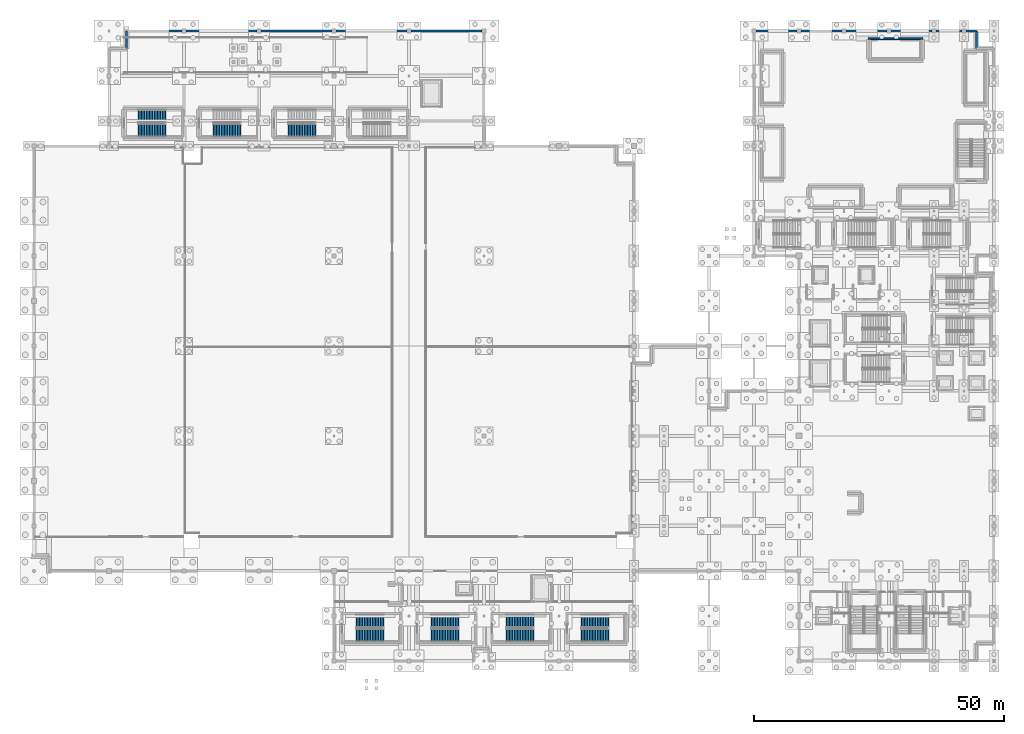
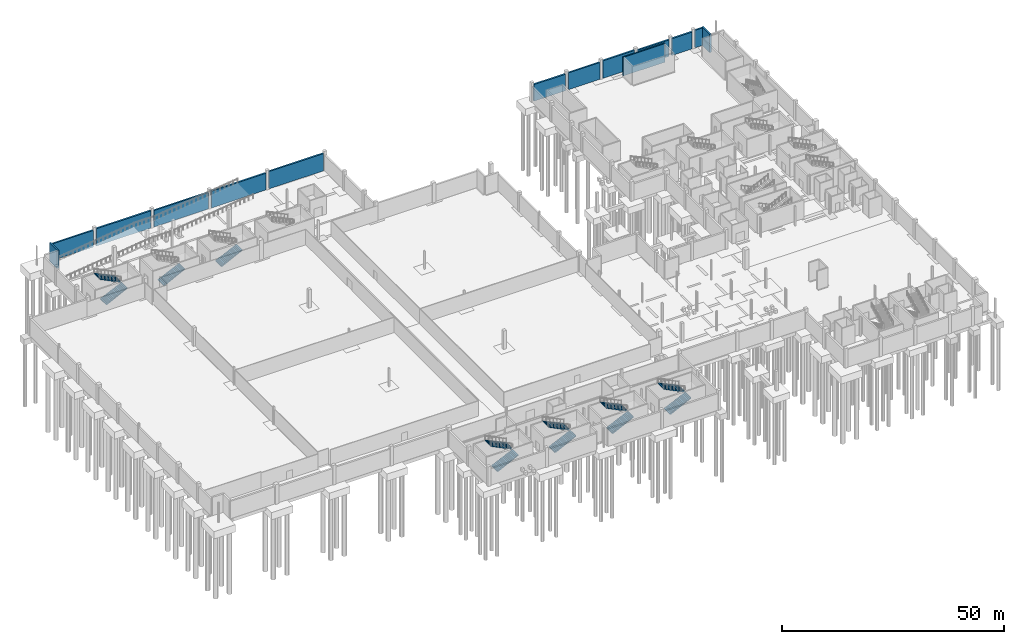
# One storey, part 46 of 58: 14 walls, 12 stair flights, 7 elements without a shape of their own.
"""IFC4 building model written with IfcOpenShell, lengths in metres."""

from ifc_helpers import new_model, si_unit, direction, frame, frame_2d, origin, place, context, subcontext, project, spatial, polyline, rectangle, outline, extrude, material, layer, layer_set, type_object, element, aggregate, save


model = new_model("IFC4")

# Units and contexts
model_context = context("Model", 3, precision=1e-05, world=origin(), true_north=direction((0.0, 1.0)))
body_context = subcontext(model_context, "Body", "Model", "MODEL_VIEW")
ifc_project = project(units=[si_unit("LENGTHUNIT", "METRE"), si_unit("AREAUNIT", "SQUARE_METRE"), si_unit("VOLUMEUNIT", "CUBIC_METRE"), si_unit("PLANEANGLEUNIT", "RADIAN"), si_unit("MASSUNIT", "GRAM", prefix="KILO")], contexts=[model_context])

# Site, building, storey
site_placement = place(None, origin())
site = spatial("IfcSite", under=ifc_project, at=site_placement, CompositionType="ELEMENT")
building_placement = place(site_placement, origin())
building = spatial("IfcBuilding", under=site, at=building_placement, Name="Qamarlyn Nura Convention Centre", CompositionType="ELEMENT")
storey_placement = place(building_placement, frame((0.0, 0.0, -5.39990234375)))
storey = spatial("IfcBuildingStorey", under=building, at=storey_placement, Name="B01", CompositionType="ELEMENT", Elevation=-5.39990234375)

# Walls
ifc_material_1 = material(Name="Concrete C50/60", Category="concrete")
ifc_layer_1 = layer(ifc_material_1, 0.35009765625, Name="WT-CORE-350")
ifc_layer_set_1 = layer_set([ifc_layer_1], Name="Concrete C50/60")
wall_type_1 = type_object("IfcWallType", Name="WT-CORE-350", PredefinedType="SHEAR", material=ifc_layer_set_1)
wall_1_placement = place(storey_placement, frame((177.75, 124.455078125, 0.0), z_axis=(0.0, 0.0, 1.0), x_axis=(-1.0, 0.0, 0.0)))
element("IfcWall", 1, at=wall_1_placement, inside=storey, type_object=wall_type_1, Name="B01 stair core shear wall ST-VOM5-N", PredefinedType="SHEAR", context=body_context, shape_type="SweptSolid", body=[
    extrude(rectangle(XDim=10.89990234375, YDim=0.35009765625, at=frame_2d((5.449951171875, 0.0))), origin(), (0.0, 0.0, 1.0), 5.119873046875),
])
ifc_material_2 = material(Name="Concrete C40/50", Category="concrete")
ifc_layer_2 = layer(ifc_material_2, 0.419921875, Name="WT-RET-420")
ifc_layer_set_2 = layer_set([ifc_layer_2], Name="Concrete C40/50")
wall_type_2 = type_object("IfcWallType", Name="WT-RET-420", PredefinedType="USERDEFINED", material=ifc_layer_set_2)
wall_2_placement = place(storey_placement, frame((18.5, 126.0, 0.0), z_axis=(0.0, 0.0, 1.0), x_axis=(1.0, 0.0, 0.0)))
element("IfcWall", 2, at=wall_2_placement, inside=storey, type_object=wall_type_2, Name="B01 perimeter retaining wall 18", ObjectType="RETAININGWALL", PredefinedType="USERDEFINED", context=body_context, shape_type="SweptSolid", body=[
    extrude(rectangle(XDim=11.125, YDim=0.419921875, at=frame_2d((5.5625, 0.0))), origin(), (0.0, 0.0, 1.0), 4.598876953125),
])
wall_3_placement = place(storey_placement, frame((45.375, 126.0, 0.0), z_axis=(0.0, 0.0, 1.0), x_axis=(1.0, 0.0, 0.0)))
element("IfcWall", 3, at=wall_3_placement, inside=storey, type_object=wall_type_2, Name="B01 perimeter retaining wall 20", ObjectType="RETAININGWALL", PredefinedType="USERDEFINED", context=body_context, shape_type="SweptSolid", body=[
    extrude(rectangle(XDim=14.25, YDim=0.419921875, at=frame_2d((7.125, 0.0))), origin(), (0.0, 0.0, 1.0), 4.52587890625),
])
wall_4_placement = place(storey_placement, frame((75.375, 126.0, 0.0), z_axis=(0.0, 0.0, 1.0), x_axis=(1.0, 0.0, 0.0)))
element("IfcWall", 4, at=wall_4_placement, inside=storey, type_object=wall_type_2, Name="B01 perimeter retaining wall 22", ObjectType="RETAININGWALL", PredefinedType="USERDEFINED", context=body_context, shape_type="SweptSolid", body=[
    extrude(rectangle(XDim=14.25, YDim=0.419921875, at=frame_2d((7.125, 0.0))), origin(), (0.0, 0.0, 1.0), 4.764892578125),
])
wall_5_placement = place(storey_placement, frame((153.375, 126.0, 0.0), z_axis=(0.0, 0.0, 1.0), x_axis=(1.0, 0.0, 0.0)))
element("IfcWall", 5, at=wall_5_placement, inside=storey, type_object=wall_type_2, Name="B01 perimeter retaining wall 54", ObjectType="RETAININGWALL", PredefinedType="USERDEFINED", context=body_context, shape_type="SweptSolid", body=[
    extrude(rectangle(XDim=8.25, YDim=0.419921875, at=frame_2d((4.125, 0.0))), origin(), (0.0, 0.0, 1.0), 4.638916015625),
])
wall_6_placement = place(storey_placement, frame((171.375, 126.0, 0.0), z_axis=(0.0, 0.0, 1.0), x_axis=(1.0, 0.0, 0.0)))
element("IfcWall", 6, at=wall_6_placement, inside=storey, type_object=wall_type_2, Name="B01 perimeter retaining wall 56", ObjectType="RETAININGWALL", PredefinedType="USERDEFINED", context=body_context, shape_type="SweptSolid", body=[
    extrude(rectangle(XDim=8.25, YDim=0.419921875, at=frame_2d((4.125, 0.0))), origin(), (0.0, 0.0, 1.0), 4.56591796875),
])
wall_7_placement = place(storey_placement, frame((186.375, 126.0, 0.0), z_axis=(0.0, 0.0, 1.0), x_axis=(1.0, 0.0, 0.0)))
element("IfcWall", 7, at=wall_7_placement, inside=storey, type_object=wall_type_2, Name="B01 perimeter retaining wall 58", ObjectType="RETAININGWALL", PredefinedType="USERDEFINED", context=body_context, shape_type="SweptSolid", body=[
    extrude(rectangle(XDim=2.125, YDim=0.419921875, at=frame_2d((1.0625, 0.0))), origin(), (0.0, 0.0, 1.0), 4.804931640625),
])
ifc_layer_3 = layer(ifc_material_2, 0.449951171875, Name="WT-RET-450")
ifc_layer_set_3 = layer_set([ifc_layer_3], Name="Concrete C40/50")
wall_type_3 = type_object("IfcWallType", Name="WT-RET-450", PredefinedType="USERDEFINED", material=ifc_layer_set_3)
wall_8_placement = place(storey_placement, frame((18.5, 122.5, 0.0), z_axis=(0.0, 0.0, 1.0), x_axis=(0.0, 1.0, 0.0)))
element("IfcWall", 8, at=wall_8_placement, inside=storey, type_object=wall_type_3, Name="B01 perimeter retaining wall 17", ObjectType="RETAININGWALL", PredefinedType="USERDEFINED", context=body_context, shape_type="SweptSolid", body=[
    extrude(rectangle(XDim=3.5, YDim=0.449951171875, at=frame_2d((1.75, 0.0))), origin(), (0.0, 0.0, 1.0), 5.0498046875),
])
wall_9_placement = place(storey_placement, frame((30.375, 126.0, 0.0), z_axis=(0.0, 0.0, 1.0), x_axis=(1.0, 0.0, 0.0)))
element("IfcWall", 9, at=wall_9_placement, inside=storey, type_object=wall_type_3, Name="B01 perimeter retaining wall 19", ObjectType="RETAININGWALL", PredefinedType="USERDEFINED", context=body_context, shape_type="SweptSolid", body=[
    extrude(rectangle(XDim=14.25, YDim=0.449951171875, at=frame_2d((7.125, 0.0))), origin(), (0.0, 0.0, 1.0), 4.764892578125),
])
wall_10_placement = place(storey_placement, frame((60.375, 126.0, 0.0), z_axis=(0.0, 0.0, 1.0), x_axis=(1.0, 0.0, 0.0)))
element("IfcWall", 10, at=wall_10_placement, inside=storey, type_object=wall_type_3, Name="B01 perimeter retaining wall 21", ObjectType="RETAININGWALL", PredefinedType="USERDEFINED", context=body_context, shape_type="SweptSolid", body=[
    extrude(rectangle(XDim=14.25, YDim=0.449951171875, at=frame_2d((7.125, 0.0))), origin(), (0.0, 0.0, 1.0), 4.598876953125),
])
wall_11_placement = place(storey_placement, frame((144.375, 126.0, 0.0), z_axis=(0.0, 0.0, 1.0), x_axis=(1.0, 0.0, 0.0)))
element("IfcWall", 11, at=wall_11_placement, inside=storey, type_object=wall_type_3, Name="B01 perimeter retaining wall 53", ObjectType="RETAININGWALL", PredefinedType="USERDEFINED", context=body_context, shape_type="SweptSolid", body=[
    extrude(rectangle(XDim=8.25, YDim=0.449951171875, at=frame_2d((4.125, 0.0))), origin(), (0.0, 0.0, 1.0), 4.56591796875),
])
wall_12_placement = place(storey_placement, frame((162.375, 126.0, 0.0), z_axis=(0.0, 0.0, 1.0), x_axis=(1.0, 0.0, 0.0)))
element("IfcWall", 12, at=wall_12_placement, inside=storey, type_object=wall_type_3, Name="B01 perimeter retaining wall 55", ObjectType="RETAININGWALL", PredefinedType="USERDEFINED", context=body_context, shape_type="SweptSolid", body=[
    extrude(rectangle(XDim=8.25, YDim=0.449951171875, at=frame_2d((4.125, 0.0))), origin(), (0.0, 0.0, 1.0), 4.804931640625),
])
wall_13_placement = place(storey_placement, frame((180.375, 126.0, 0.0), z_axis=(0.0, 0.0, 1.0), x_axis=(1.0, 0.0, 0.0)))
element("IfcWall", 13, at=wall_13_placement, inside=storey, type_object=wall_type_3, Name="B01 perimeter retaining wall 57", ObjectType="RETAININGWALL", PredefinedType="USERDEFINED", context=body_context, shape_type="SweptSolid", body=[
    extrude(rectangle(XDim=5.25, YDim=0.449951171875, at=frame_2d((2.625, 0.0))), origin(), (0.0, 0.0, 1.0), 4.638916015625),
])
wall_14_placement = place(storey_placement, frame((188.5, 126.0, 0.0), z_axis=(0.0, 0.0, 1.0), x_axis=(0.0, -1.0, 0.0)))
element("IfcWall", 14, at=wall_14_placement, inside=storey, type_object=wall_type_3, Name="B01 perimeter retaining wall 59", ObjectType="RETAININGWALL", PredefinedType="USERDEFINED", context=body_context, shape_type="SweptSolid", body=[
    extrude(rectangle(XDim=3.5, YDim=0.449951171875, at=frame_2d((1.75, 0.0))), origin(), (0.0, 0.0, 1.0), 5.0498046875),
])

# Stair, stair flights
stair_type = type_object("IfcStairType", Name="STAIR-EXIT-54", PredefinedType="HALF_TURN_STAIR", material=ifc_material_2)
stair_1_placement = place(storey_placement, origin())
stair_1 = element("IfcStair", 15, at=stair_1_placement, inside=storey, type_object=stair_type, Name="B01 Enclosed exit stair ST-01", PredefinedType="HALF_TURN_STAIR")
stair_flight_type = type_object("IfcStairFlightType", Name="FLIGHT-EXIT-54", PredefinedType="STRAIGHT", material=ifc_material_2)
stair_flight_1_placement = place(storey_placement, frame((20.860107421875, 106.1298828125, 0.0), z_axis=(0.0, 0.0, 1.0), x_axis=(1.0, 0.0, 0.0)))
stair_flight_1 = element("IfcStairFlight", 16, at=stair_flight_1_placement, type_object=stair_flight_type, Name="ST-01 flight 1", NumberOfRisers=18, NumberOfTreads=17, PredefinedType="STRAIGHT", RiserHeight=0.15, TreadLength=0.32, context=body_context, shape_type="SweptSolid", body=[
    extrude(outline(polyline([(-0.054931640625, 0.0), (0.0, 0.0), (0.0, 0.14990234375), (0.320068359375, 0.14990234375), (0.320068359375, 0.300048828125), (0.639892578125, 0.300048828125), (0.639892578125, 0.449951171875), (0.9599609375, 0.449951171875), (0.9599609375, 0.60009765625), (1.280029296875, 0.60009765625), (1.280029296875, 0.75), (1.60009765625, 0.75), (1.60009765625, 0.89990234375), (1.919921875, 0.89990234375), (1.919921875, 1.050048828125), (2.239990234375, 1.050048828125), (2.239990234375, 1.199951171875), (2.56005859375, 1.199951171875), (2.56005859375, 1.35009765625), (2.8798828125, 1.35009765625), (2.8798828125, 1.5), (3.199951171875, 1.5), (3.199951171875, 1.64990234375), (3.52001953125, 1.64990234375), (3.52001953125, 1.800048828125), (3.840087890625, 1.800048828125), (3.840087890625, 1.949951171875), (4.159912109375, 1.949951171875), (4.159912109375, 2.10009765625), (4.47998046875, 2.10009765625), (4.47998046875, 2.25), (4.800048828125, 2.25), (4.800048828125, 2.39990234375), (5.1201171875, 2.39990234375), (5.1201171875, 2.550048828125), (5.43994140625, 2.550048828125), (5.43994140625, 2.699951171875), (5.494873046875, 2.699951171875), (5.494873046875, 2.56005859375), (5.43994140625, 2.384521484375), (0.353271484375, -0.139892578125), (-0.054931640625, -0.139892578125), (-0.054931640625, 0.0)])), frame((0.0, 1.330078125, 0.0), z_axis=(0.0, -1.0, 0.0), x_axis=(1.0, 0.0, 0.0)), (0.0, 0.0, 1.0), 2.659912109375),
])
stair_flight_2_placement = place(storey_placement, frame((26.300048828125, 108.969970703125, 2.699951171875), z_axis=(0.0, 0.0, 1.0), x_axis=(-1.0, 0.0, 0.0)))
stair_flight_2 = element("IfcStairFlight", 17, at=stair_flight_2_placement, type_object=stair_flight_type, Name="ST-01 flight 2", NumberOfRisers=18, NumberOfTreads=17, PredefinedType="STRAIGHT", RiserHeight=0.15, TreadLength=0.32, context=body_context, shape_type="SweptSolid", body=[
    extrude(outline(polyline([(-0.054931640625, 0.0), (0.0, 0.0), (0.0, 0.14990234375), (0.320068359375, 0.14990234375), (0.320068359375, 0.300048828125), (0.639892578125, 0.300048828125), (0.639892578125, 0.449951171875), (0.9599609375, 0.449951171875), (0.9599609375, 0.60009765625), (1.280029296875, 0.60009765625), (1.280029296875, 0.75), (1.60009765625, 0.75), (1.60009765625, 0.89990234375), (1.919921875, 0.89990234375), (1.919921875, 1.050048828125), (2.239990234375, 1.050048828125), (2.239990234375, 1.199951171875), (2.56005859375, 1.199951171875), (2.56005859375, 1.35009765625), (2.8798828125, 1.35009765625), (2.8798828125, 1.5), (3.199951171875, 1.5), (3.199951171875, 1.64990234375), (3.52001953125, 1.64990234375), (3.52001953125, 1.800048828125), (3.840087890625, 1.800048828125), (3.840087890625, 1.949951171875), (4.159912109375, 1.949951171875), (4.159912109375, 2.10009765625), (4.47998046875, 2.10009765625), (4.47998046875, 2.25), (4.800048828125, 2.25), (4.800048828125, 2.39990234375), (5.1201171875, 2.39990234375), (5.1201171875, 2.550048828125), (5.43994140625, 2.550048828125), (5.43994140625, 2.699951171875), (5.494873046875, 2.699951171875), (5.494873046875, 2.56005859375), (5.43994140625, 2.384521484375), (0.353271484375, -0.139892578125), (-0.054931640625, -0.139892578125), (-0.054931640625, 0.0)])), frame((0.0, 1.330078125, 0.0), z_axis=(0.0, -1.0, 0.0), x_axis=(1.0, 0.0, 0.0)), (0.0, 0.0, 1.0), 2.659912109375),
])
aggregate(stair_1, [stair_flight_1, stair_flight_2])

# Stair, stair flight
stair_2_placement = place(storey_placement, origin())
stair_2 = element("IfcStair", 18, at=stair_2_placement, inside=storey, type_object=stair_type, Name="B01 Enclosed exit stair ST-02", PredefinedType="HALF_TURN_STAIR")
stair_flight_3_placement = place(storey_placement, frame((35.860107421875, 106.1298828125, 0.0), z_axis=(0.0, 0.0, 1.0), x_axis=(1.0, 0.0, 0.0)))
stair_flight_3 = element("IfcStairFlight", 19, at=stair_flight_3_placement, type_object=stair_flight_type, Name="ST-02 flight 1", NumberOfRisers=18, NumberOfTreads=17, PredefinedType="STRAIGHT", RiserHeight=0.15, TreadLength=0.32, context=body_context, shape_type="SweptSolid", body=[
    extrude(outline(polyline([(-0.054931640625, 0.0), (0.0, 0.0), (0.0, 0.14990234375), (0.320068359375, 0.14990234375), (0.320068359375, 0.300048828125), (0.639892578125, 0.300048828125), (0.639892578125, 0.449951171875), (0.9599609375, 0.449951171875), (0.9599609375, 0.60009765625), (1.280029296875, 0.60009765625), (1.280029296875, 0.75), (1.60009765625, 0.75), (1.60009765625, 0.89990234375), (1.919921875, 0.89990234375), (1.919921875, 1.050048828125), (2.239990234375, 1.050048828125), (2.239990234375, 1.199951171875), (2.56005859375, 1.199951171875), (2.56005859375, 1.35009765625), (2.8798828125, 1.35009765625), (2.8798828125, 1.5), (3.199951171875, 1.5), (3.199951171875, 1.64990234375), (3.52001953125, 1.64990234375), (3.52001953125, 1.800048828125), (3.840087890625, 1.800048828125), (3.840087890625, 1.949951171875), (4.159912109375, 1.949951171875), (4.159912109375, 2.10009765625), (4.47998046875, 2.10009765625), (4.47998046875, 2.25), (4.800048828125, 2.25), (4.800048828125, 2.39990234375), (5.1201171875, 2.39990234375), (5.1201171875, 2.550048828125), (5.43994140625, 2.550048828125), (5.43994140625, 2.699951171875), (5.494873046875, 2.699951171875), (5.494873046875, 2.56005859375), (5.43994140625, 2.384521484375), (0.353271484375, -0.139892578125), (-0.054931640625, -0.139892578125), (-0.054931640625, 0.0)])), frame((0.0, 1.330078125, 0.0), z_axis=(0.0, -1.0, 0.0), x_axis=(1.0, 0.0, 0.0)), (0.0, 0.0, 1.0), 2.659912109375),
])
aggregate(stair_2, [stair_flight_3])

stair_3_placement = place(storey_placement, origin())
stair_3 = element("IfcStair", 20, at=stair_3_placement, inside=storey, type_object=stair_type, Name="B01 Enclosed exit stair ST-03", PredefinedType="HALF_TURN_STAIR")
stair_flight_4_placement = place(storey_placement, frame((50.860107421875, 106.1298828125, 0.0), z_axis=(0.0, 0.0, 1.0), x_axis=(1.0, 0.0, 0.0)))
stair_flight_4 = element("IfcStairFlight", 21, at=stair_flight_4_placement, type_object=stair_flight_type, Name="ST-03 flight 1", NumberOfRisers=18, NumberOfTreads=17, PredefinedType="STRAIGHT", RiserHeight=0.15, TreadLength=0.32, context=body_context, shape_type="SweptSolid", body=[
    extrude(outline(polyline([(-0.054931640625, 0.0), (0.0, 0.0), (0.0, 0.14990234375), (0.320068359375, 0.14990234375), (0.320068359375, 0.300048828125), (0.639892578125, 0.300048828125), (0.639892578125, 0.449951171875), (0.9599609375, 0.449951171875), (0.9599609375, 0.60009765625), (1.280029296875, 0.60009765625), (1.280029296875, 0.75), (1.60009765625, 0.75), (1.60009765625, 0.89990234375), (1.919921875, 0.89990234375), (1.919921875, 1.050048828125), (2.239990234375, 1.050048828125), (2.239990234375, 1.199951171875), (2.56005859375, 1.199951171875), (2.56005859375, 1.35009765625), (2.8798828125, 1.35009765625), (2.8798828125, 1.5), (3.199951171875, 1.5), (3.199951171875, 1.64990234375), (3.52001953125, 1.64990234375), (3.52001953125, 1.800048828125), (3.840087890625, 1.800048828125), (3.840087890625, 1.949951171875), (4.159912109375, 1.949951171875), (4.159912109375, 2.10009765625), (4.47998046875, 2.10009765625), (4.47998046875, 2.25), (4.800048828125, 2.25), (4.800048828125, 2.39990234375), (5.1201171875, 2.39990234375), (5.1201171875, 2.550048828125), (5.43994140625, 2.550048828125), (5.43994140625, 2.699951171875), (5.494873046875, 2.699951171875), (5.494873046875, 2.56005859375), (5.43994140625, 2.384521484375), (0.353271484375, -0.139892578125), (-0.054931640625, -0.139892578125), (-0.054931640625, 0.0)])), frame((0.0, 1.330078125, 0.0), z_axis=(0.0, -1.0, 0.0), x_axis=(1.0, 0.0, 0.0)), (0.0, 0.0, 1.0), 2.659912109375),
])
aggregate(stair_3, [stair_flight_4])

# Stair, stair flights
stair_4_placement = place(storey_placement, origin())
stair_4 = element("IfcStair", 22, at=stair_4_placement, inside=storey, type_object=stair_type, Name="B01 Enclosed exit stair ST-05", PredefinedType="HALF_TURN_STAIR")
stair_flight_5_placement = place(storey_placement, frame((64.4599609375, 5.1298828125, 0.0), z_axis=(0.0, 0.0, 1.0), x_axis=(1.0, 0.0, 0.0)))
stair_flight_5 = element("IfcStairFlight", 23, at=stair_flight_5_placement, type_object=stair_flight_type, Name="ST-05 flight 1", NumberOfRisers=18, NumberOfTreads=17, PredefinedType="STRAIGHT", RiserHeight=0.15, TreadLength=0.32, context=body_context, shape_type="SweptSolid", body=[
    extrude(outline(polyline([(-0.054931640625, 0.0), (0.0, 0.0), (0.0, 0.14990234375), (0.320068359375, 0.14990234375), (0.320068359375, 0.300048828125), (0.639892578125, 0.300048828125), (0.639892578125, 0.449951171875), (0.9599609375, 0.449951171875), (0.9599609375, 0.60009765625), (1.280029296875, 0.60009765625), (1.280029296875, 0.75), (1.60009765625, 0.75), (1.60009765625, 0.89990234375), (1.919921875, 0.89990234375), (1.919921875, 1.050048828125), (2.239990234375, 1.050048828125), (2.239990234375, 1.199951171875), (2.56005859375, 1.199951171875), (2.56005859375, 1.35009765625), (2.8798828125, 1.35009765625), (2.8798828125, 1.5), (3.199951171875, 1.5), (3.199951171875, 1.64990234375), (3.52001953125, 1.64990234375), (3.52001953125, 1.800048828125), (3.840087890625, 1.800048828125), (3.840087890625, 1.949951171875), (4.159912109375, 1.949951171875), (4.159912109375, 2.10009765625), (4.47998046875, 2.10009765625), (4.47998046875, 2.25), (4.800048828125, 2.25), (4.800048828125, 2.39990234375), (5.1201171875, 2.39990234375), (5.1201171875, 2.550048828125), (5.43994140625, 2.550048828125), (5.43994140625, 2.699951171875), (5.494873046875, 2.699951171875), (5.494873046875, 2.56005859375), (5.43994140625, 2.384521484375), (0.353271484375, -0.139892578125), (-0.054931640625, -0.139892578125), (-0.054931640625, 0.0)])), frame((0.0, 1.330078125, 0.0), z_axis=(0.0, -1.0, 0.0), x_axis=(1.0, 0.0, 0.0)), (0.0, 0.0, 1.0), 2.659912109375),
])
stair_flight_6_placement = place(storey_placement, frame((69.89990234375, 7.969970703125, 2.699951171875), z_axis=(0.0, 0.0, 1.0), x_axis=(-1.0, 0.0, 0.0)))
stair_flight_6 = element("IfcStairFlight", 24, at=stair_flight_6_placement, type_object=stair_flight_type, Name="ST-05 flight 2", NumberOfRisers=18, NumberOfTreads=17, PredefinedType="STRAIGHT", RiserHeight=0.15, TreadLength=0.32, context=body_context, shape_type="SweptSolid", body=[
    extrude(outline(polyline([(-0.054931640625, 0.0), (0.0, 0.0), (0.0, 0.14990234375), (0.320068359375, 0.14990234375), (0.320068359375, 0.300048828125), (0.639892578125, 0.300048828125), (0.639892578125, 0.449951171875), (0.9599609375, 0.449951171875), (0.9599609375, 0.60009765625), (1.280029296875, 0.60009765625), (1.280029296875, 0.75), (1.60009765625, 0.75), (1.60009765625, 0.89990234375), (1.919921875, 0.89990234375), (1.919921875, 1.050048828125), (2.239990234375, 1.050048828125), (2.239990234375, 1.199951171875), (2.56005859375, 1.199951171875), (2.56005859375, 1.35009765625), (2.8798828125, 1.35009765625), (2.8798828125, 1.5), (3.199951171875, 1.5), (3.199951171875, 1.64990234375), (3.52001953125, 1.64990234375), (3.52001953125, 1.800048828125), (3.840087890625, 1.800048828125), (3.840087890625, 1.949951171875), (4.159912109375, 1.949951171875), (4.159912109375, 2.10009765625), (4.47998046875, 2.10009765625), (4.47998046875, 2.25), (4.800048828125, 2.25), (4.800048828125, 2.39990234375), (5.1201171875, 2.39990234375), (5.1201171875, 2.550048828125), (5.43994140625, 2.550048828125), (5.43994140625, 2.699951171875), (5.494873046875, 2.699951171875), (5.494873046875, 2.56005859375), (5.43994140625, 2.384521484375), (0.353271484375, -0.139892578125), (-0.054931640625, -0.139892578125), (-0.054931640625, 0.0)])), frame((0.0, 1.330078125, 0.0), z_axis=(0.0, -1.0, 0.0), x_axis=(1.0, 0.0, 0.0)), (0.0, 0.0, 1.0), 2.659912109375),
])
aggregate(stair_4, [stair_flight_5, stair_flight_6])

stair_5_placement = place(storey_placement, origin())
stair_5 = element("IfcStair", 25, at=stair_5_placement, inside=storey, type_object=stair_type, Name="B01 Enclosed exit stair ST-06", PredefinedType="HALF_TURN_STAIR")
stair_flight_7_placement = place(storey_placement, frame((79.4599609375, 5.1298828125, 0.0), z_axis=(0.0, 0.0, 1.0), x_axis=(1.0, 0.0, 0.0)))
stair_flight_7 = element("IfcStairFlight", 26, at=stair_flight_7_placement, type_object=stair_flight_type, Name="ST-06 flight 1", NumberOfRisers=18, NumberOfTreads=17, PredefinedType="STRAIGHT", RiserHeight=0.15, TreadLength=0.32, context=body_context, shape_type="SweptSolid", body=[
    extrude(outline(polyline([(-0.054931640625, 0.0), (0.0, 0.0), (0.0, 0.14990234375), (0.320068359375, 0.14990234375), (0.320068359375, 0.300048828125), (0.639892578125, 0.300048828125), (0.639892578125, 0.449951171875), (0.9599609375, 0.449951171875), (0.9599609375, 0.60009765625), (1.280029296875, 0.60009765625), (1.280029296875, 0.75), (1.60009765625, 0.75), (1.60009765625, 0.89990234375), (1.919921875, 0.89990234375), (1.919921875, 1.050048828125), (2.239990234375, 1.050048828125), (2.239990234375, 1.199951171875), (2.56005859375, 1.199951171875), (2.56005859375, 1.35009765625), (2.8798828125, 1.35009765625), (2.8798828125, 1.5), (3.199951171875, 1.5), (3.199951171875, 1.64990234375), (3.52001953125, 1.64990234375), (3.52001953125, 1.800048828125), (3.840087890625, 1.800048828125), (3.840087890625, 1.949951171875), (4.159912109375, 1.949951171875), (4.159912109375, 2.10009765625), (4.47998046875, 2.10009765625), (4.47998046875, 2.25), (4.800048828125, 2.25), (4.800048828125, 2.39990234375), (5.1201171875, 2.39990234375), (5.1201171875, 2.550048828125), (5.43994140625, 2.550048828125), (5.43994140625, 2.699951171875), (5.494873046875, 2.699951171875), (5.494873046875, 2.56005859375), (5.43994140625, 2.384521484375), (0.353271484375, -0.139892578125), (-0.054931640625, -0.139892578125), (-0.054931640625, 0.0)])), frame((0.0, 1.330078125, 0.0), z_axis=(0.0, -1.0, 0.0), x_axis=(1.0, 0.0, 0.0)), (0.0, 0.0, 1.0), 2.659912109375),
])
stair_flight_8_placement = place(storey_placement, frame((84.89990234375, 7.969970703125, 2.699951171875), z_axis=(0.0, 0.0, 1.0), x_axis=(-1.0, 0.0, 0.0)))
stair_flight_8 = element("IfcStairFlight", 27, at=stair_flight_8_placement, type_object=stair_flight_type, Name="ST-06 flight 2", NumberOfRisers=18, NumberOfTreads=17, PredefinedType="STRAIGHT", RiserHeight=0.15, TreadLength=0.32, context=body_context, shape_type="SweptSolid", body=[
    extrude(outline(polyline([(-0.054931640625, 0.0), (0.0, 0.0), (0.0, 0.14990234375), (0.320068359375, 0.14990234375), (0.320068359375, 0.300048828125), (0.639892578125, 0.300048828125), (0.639892578125, 0.449951171875), (0.9599609375, 0.449951171875), (0.9599609375, 0.60009765625), (1.280029296875, 0.60009765625), (1.280029296875, 0.75), (1.60009765625, 0.75), (1.60009765625, 0.89990234375), (1.919921875, 0.89990234375), (1.919921875, 1.050048828125), (2.239990234375, 1.050048828125), (2.239990234375, 1.199951171875), (2.56005859375, 1.199951171875), (2.56005859375, 1.35009765625), (2.8798828125, 1.35009765625), (2.8798828125, 1.5), (3.199951171875, 1.5), (3.199951171875, 1.64990234375), (3.52001953125, 1.64990234375), (3.52001953125, 1.800048828125), (3.840087890625, 1.800048828125), (3.840087890625, 1.949951171875), (4.159912109375, 1.949951171875), (4.159912109375, 2.10009765625), (4.47998046875, 2.10009765625), (4.47998046875, 2.25), (4.800048828125, 2.25), (4.800048828125, 2.39990234375), (5.1201171875, 2.39990234375), (5.1201171875, 2.550048828125), (5.43994140625, 2.550048828125), (5.43994140625, 2.699951171875), (5.494873046875, 2.699951171875), (5.494873046875, 2.56005859375), (5.43994140625, 2.384521484375), (0.353271484375, -0.139892578125), (-0.054931640625, -0.139892578125), (-0.054931640625, 0.0)])), frame((0.0, 1.330078125, 0.0), z_axis=(0.0, -1.0, 0.0), x_axis=(1.0, 0.0, 0.0)), (0.0, 0.0, 1.0), 2.659912109375),
])
aggregate(stair_5, [stair_flight_7, stair_flight_8])

stair_6_placement = place(storey_placement, origin())
stair_6 = element("IfcStair", 28, at=stair_6_placement, inside=storey, type_object=stair_type, Name="B01 Enclosed exit stair ST-07", PredefinedType="HALF_TURN_STAIR")
stair_flight_9_placement = place(storey_placement, frame((94.4599609375, 5.1298828125, 0.0), z_axis=(0.0, 0.0, 1.0), x_axis=(1.0, 0.0, 0.0)))
stair_flight_9 = element("IfcStairFlight", 29, at=stair_flight_9_placement, type_object=stair_flight_type, Name="ST-07 flight 1", NumberOfRisers=18, NumberOfTreads=17, PredefinedType="STRAIGHT", RiserHeight=0.15, TreadLength=0.32, context=body_context, shape_type="SweptSolid", body=[
    extrude(outline(polyline([(-0.054931640625, 0.0), (0.0, 0.0), (0.0, 0.14990234375), (0.320068359375, 0.14990234375), (0.320068359375, 0.300048828125), (0.639892578125, 0.300048828125), (0.639892578125, 0.449951171875), (0.9599609375, 0.449951171875), (0.9599609375, 0.60009765625), (1.280029296875, 0.60009765625), (1.280029296875, 0.75), (1.60009765625, 0.75), (1.60009765625, 0.89990234375), (1.919921875, 0.89990234375), (1.919921875, 1.050048828125), (2.239990234375, 1.050048828125), (2.239990234375, 1.199951171875), (2.56005859375, 1.199951171875), (2.56005859375, 1.35009765625), (2.8798828125, 1.35009765625), (2.8798828125, 1.5), (3.199951171875, 1.5), (3.199951171875, 1.64990234375), (3.52001953125, 1.64990234375), (3.52001953125, 1.800048828125), (3.840087890625, 1.800048828125), (3.840087890625, 1.949951171875), (4.159912109375, 1.949951171875), (4.159912109375, 2.10009765625), (4.47998046875, 2.10009765625), (4.47998046875, 2.25), (4.800048828125, 2.25), (4.800048828125, 2.39990234375), (5.1201171875, 2.39990234375), (5.1201171875, 2.550048828125), (5.43994140625, 2.550048828125), (5.43994140625, 2.699951171875), (5.494873046875, 2.699951171875), (5.494873046875, 2.56005859375), (5.43994140625, 2.384521484375), (0.353271484375, -0.139892578125), (-0.054931640625, -0.139892578125), (-0.054931640625, 0.0)])), frame((0.0, 1.330078125, 0.0), z_axis=(0.0, -1.0, 0.0), x_axis=(1.0, 0.0, 0.0)), (0.0, 0.0, 1.0), 2.659912109375),
])
stair_flight_10_placement = place(storey_placement, frame((99.89990234375, 7.969970703125, 2.699951171875), z_axis=(0.0, 0.0, 1.0), x_axis=(-1.0, 0.0, 0.0)))
stair_flight_10 = element("IfcStairFlight", 30, at=stair_flight_10_placement, type_object=stair_flight_type, Name="ST-07 flight 2", NumberOfRisers=18, NumberOfTreads=17, PredefinedType="STRAIGHT", RiserHeight=0.15, TreadLength=0.32, context=body_context, shape_type="SweptSolid", body=[
    extrude(outline(polyline([(-0.054931640625, 0.0), (0.0, 0.0), (0.0, 0.14990234375), (0.320068359375, 0.14990234375), (0.320068359375, 0.300048828125), (0.639892578125, 0.300048828125), (0.639892578125, 0.449951171875), (0.9599609375, 0.449951171875), (0.9599609375, 0.60009765625), (1.280029296875, 0.60009765625), (1.280029296875, 0.75), (1.60009765625, 0.75), (1.60009765625, 0.89990234375), (1.919921875, 0.89990234375), (1.919921875, 1.050048828125), (2.239990234375, 1.050048828125), (2.239990234375, 1.199951171875), (2.56005859375, 1.199951171875), (2.56005859375, 1.35009765625), (2.8798828125, 1.35009765625), (2.8798828125, 1.5), (3.199951171875, 1.5), (3.199951171875, 1.64990234375), (3.52001953125, 1.64990234375), (3.52001953125, 1.800048828125), (3.840087890625, 1.800048828125), (3.840087890625, 1.949951171875), (4.159912109375, 1.949951171875), (4.159912109375, 2.10009765625), (4.47998046875, 2.10009765625), (4.47998046875, 2.25), (4.800048828125, 2.25), (4.800048828125, 2.39990234375), (5.1201171875, 2.39990234375), (5.1201171875, 2.550048828125), (5.43994140625, 2.550048828125), (5.43994140625, 2.699951171875), (5.494873046875, 2.699951171875), (5.494873046875, 2.56005859375), (5.43994140625, 2.384521484375), (0.353271484375, -0.139892578125), (-0.054931640625, -0.139892578125), (-0.054931640625, 0.0)])), frame((0.0, 1.330078125, 0.0), z_axis=(0.0, -1.0, 0.0), x_axis=(1.0, 0.0, 0.0)), (0.0, 0.0, 1.0), 2.659912109375),
])
aggregate(stair_6, [stair_flight_9, stair_flight_10])

stair_7_placement = place(storey_placement, origin())
stair_7 = element("IfcStair", 31, at=stair_7_placement, inside=storey, type_object=stair_type, Name="B01 Enclosed exit stair ST-08", PredefinedType="HALF_TURN_STAIR")
stair_flight_11_placement = place(storey_placement, frame((109.4599609375, 5.1298828125, 0.0), z_axis=(0.0, 0.0, 1.0), x_axis=(1.0, 0.0, 0.0)))
stair_flight_11 = element("IfcStairFlight", 32, at=stair_flight_11_placement, type_object=stair_flight_type, Name="ST-08 flight 1", NumberOfRisers=18, NumberOfTreads=17, PredefinedType="STRAIGHT", RiserHeight=0.15, TreadLength=0.32, context=body_context, shape_type="SweptSolid", body=[
    extrude(outline(polyline([(-0.054931640625, 0.0), (0.0, 0.0), (0.0, 0.14990234375), (0.320068359375, 0.14990234375), (0.320068359375, 0.300048828125), (0.639892578125, 0.300048828125), (0.639892578125, 0.449951171875), (0.9599609375, 0.449951171875), (0.9599609375, 0.60009765625), (1.280029296875, 0.60009765625), (1.280029296875, 0.75), (1.60009765625, 0.75), (1.60009765625, 0.89990234375), (1.919921875, 0.89990234375), (1.919921875, 1.050048828125), (2.239990234375, 1.050048828125), (2.239990234375, 1.199951171875), (2.56005859375, 1.199951171875), (2.56005859375, 1.35009765625), (2.8798828125, 1.35009765625), (2.8798828125, 1.5), (3.199951171875, 1.5), (3.199951171875, 1.64990234375), (3.52001953125, 1.64990234375), (3.52001953125, 1.800048828125), (3.840087890625, 1.800048828125), (3.840087890625, 1.949951171875), (4.159912109375, 1.949951171875), (4.159912109375, 2.10009765625), (4.47998046875, 2.10009765625), (4.47998046875, 2.25), (4.800048828125, 2.25), (4.800048828125, 2.39990234375), (5.1201171875, 2.39990234375), (5.1201171875, 2.550048828125), (5.43994140625, 2.550048828125), (5.43994140625, 2.699951171875), (5.494873046875, 2.699951171875), (5.494873046875, 2.56005859375), (5.43994140625, 2.384521484375), (0.353271484375, -0.139892578125), (-0.054931640625, -0.139892578125), (-0.054931640625, 0.0)])), frame((0.0, 1.330078125, 0.0), z_axis=(0.0, -1.0, 0.0), x_axis=(1.0, 0.0, 0.0)), (0.0, 0.0, 1.0), 2.659912109375),
])
stair_flight_12_placement = place(storey_placement, frame((114.89990234375, 7.969970703125, 2.699951171875), z_axis=(0.0, 0.0, 1.0), x_axis=(-1.0, 0.0, 0.0)))
stair_flight_12 = element("IfcStairFlight", 33, at=stair_flight_12_placement, type_object=stair_flight_type, Name="ST-08 flight 2", NumberOfRisers=18, NumberOfTreads=17, PredefinedType="STRAIGHT", RiserHeight=0.15, TreadLength=0.32, context=body_context, shape_type="SweptSolid", body=[
    extrude(outline(polyline([(-0.054931640625, 0.0), (0.0, 0.0), (0.0, 0.14990234375), (0.320068359375, 0.14990234375), (0.320068359375, 0.300048828125), (0.639892578125, 0.300048828125), (0.639892578125, 0.449951171875), (0.9599609375, 0.449951171875), (0.9599609375, 0.60009765625), (1.280029296875, 0.60009765625), (1.280029296875, 0.75), (1.60009765625, 0.75), (1.60009765625, 0.89990234375), (1.919921875, 0.89990234375), (1.919921875, 1.050048828125), (2.239990234375, 1.050048828125), (2.239990234375, 1.199951171875), (2.56005859375, 1.199951171875), (2.56005859375, 1.35009765625), (2.8798828125, 1.35009765625), (2.8798828125, 1.5), (3.199951171875, 1.5), (3.199951171875, 1.64990234375), (3.52001953125, 1.64990234375), (3.52001953125, 1.800048828125), (3.840087890625, 1.800048828125), (3.840087890625, 1.949951171875), (4.159912109375, 1.949951171875), (4.159912109375, 2.10009765625), (4.47998046875, 2.10009765625), (4.47998046875, 2.25), (4.800048828125, 2.25), (4.800048828125, 2.39990234375), (5.1201171875, 2.39990234375), (5.1201171875, 2.550048828125), (5.43994140625, 2.550048828125), (5.43994140625, 2.699951171875), (5.494873046875, 2.699951171875), (5.494873046875, 2.56005859375), (5.43994140625, 2.384521484375), (0.353271484375, -0.139892578125), (-0.054931640625, -0.139892578125), (-0.054931640625, 0.0)])), frame((0.0, 1.330078125, 0.0), z_axis=(0.0, -1.0, 0.0), x_axis=(1.0, 0.0, 0.0)), (0.0, 0.0, 1.0), 2.659912109375),
])
aggregate(stair_7, [stair_flight_11, stair_flight_12])

save(model, "model.ifc")
